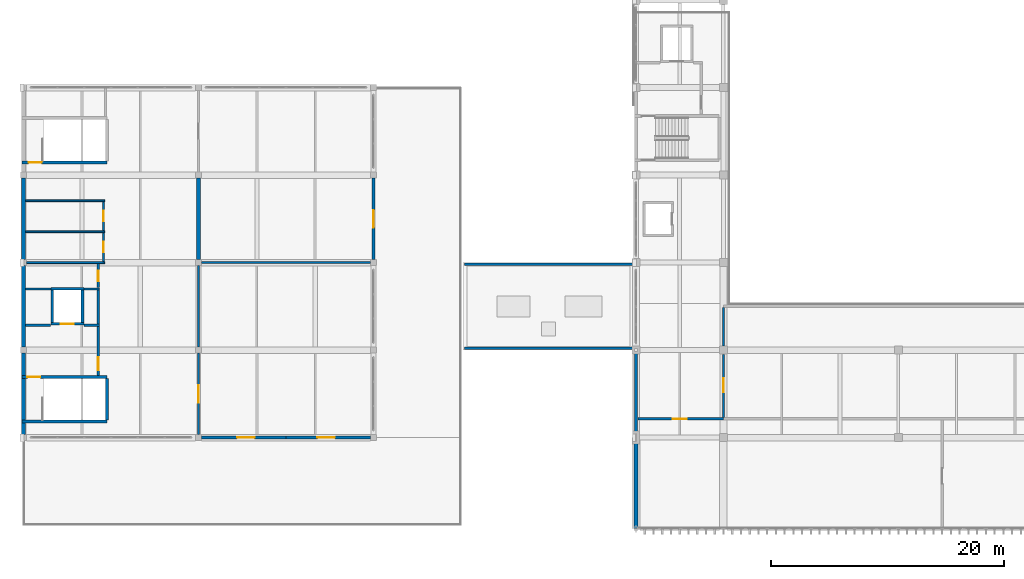
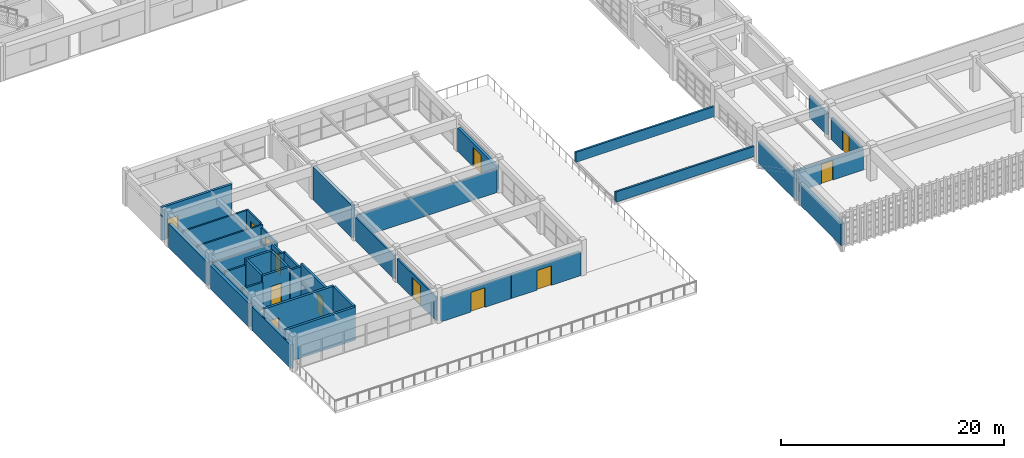
# One storey, part 61 of 82: 37 walls, 13 doors, 13 openings.
"""IFC4 building model written with IfcOpenShell, lengths in metres."""

from ifc_helpers import new_model, si_unit, direction, frame, frame_2d, origin, place, context, subcontext, project, spatial, rectangle, extrude, material, layer, layer_set, type_object, element, fill, save


model = new_model("IFC4")

# Units and contexts
model_context = context("Model", 3, precision=1e-05, world=origin(), true_north=direction((0.0, 1.0)))
body_context = subcontext(model_context, "Body", "Model", "MODEL_VIEW")
ifc_project = project(units=[si_unit("LENGTHUNIT", "METRE"), si_unit("AREAUNIT", "SQUARE_METRE"), si_unit("VOLUMEUNIT", "CUBIC_METRE"), si_unit("PLANEANGLEUNIT", "RADIAN"), si_unit("MASSUNIT", "GRAM", prefix="KILO")], contexts=[model_context])

# Site, building, storey
site_placement = place(None, origin())
site = spatial("IfcSite", under=ifc_project, at=site_placement, CompositionType="ELEMENT")
building_placement = place(site_placement, origin())
building = spatial("IfcBuilding", under=site, at=building_placement, Name="Qasida Concert Hall", CompositionType="ELEMENT")
storey_placement = place(building_placement, frame((0.0, 0.0, 17.10009765625)))
storey = spatial("IfcBuildingStorey", under=building, at=storey_placement, Name="L04", CompositionType="ELEMENT", Elevation=17.10009765625)

# Wall, opening, door
ifc_material_1 = material(Name="Concrete C40/50", Category="concrete")
ifc_layer_1 = layer(ifc_material_1, 0.219970703125, Name="Concrete C40/50")
ifc_layer_set_1 = layer_set([ifc_layer_1], Name="Concrete C40/50")
wall_type_1 = type_object("IfcWallType", Name="WL-CW-220", PredefinedType="SOLIDWALL", material=ifc_layer_set_1)
wall_1_placement = place(storey_placement, frame((2.340087890625, 32.25, 0.0), z_axis=(0.0, 0.0, 1.0), x_axis=(1.0, 0.0, 0.0)))
wall_1 = element("IfcWall", 1, at=wall_1_placement, inside=storey, type_object=wall_type_1, Name="L04 LF-06 lift shaft wall S", PredefinedType="SOLIDWALL", context=body_context, shape_type="SweptSolid", body=[
    extrude(rectangle(XDim=2.81982421875, YDim=0.219970703125, at=frame_2d((1.409912109375, 0.0))), origin(), (0.0, 0.0, 1.0), 3.619873046875),
])
opening_1_placement = place(wall_1_placement, frame((0.860107421875, 0.0, 0.0)))
opening_1 = element("IfcOpeningElement", 2, at=opening_1_placement, cuts=wall_1, Name="Opening LD-110", PredefinedType="OPENING", context=body_context, shape_type="SweptSolid", body=[
    extrude(rectangle(XDim=1.10009765625, YDim=2.14990234375, at=frame_2d((0.550048828125, 1.074951171875))), frame((0.0, 0.119873046875, 0.0), z_axis=(0.0, -1.0, 0.0), x_axis=(1.0, 0.0, 0.0)), (0.0, 0.0, 1.0), 0.239990234375),
])
ifc_material_2 = material(Name="Firefighting lift sliding landing door", Category="steel")
door_type_1 = type_object("IfcDoorType", Name="LD-110", OperationType="SLIDING_TO_LEFT", PredefinedType="DOOR", material=ifc_material_2)
door_1_placement = place(opening_1_placement, origin())
door_1 = element("IfcDoor", 3, at=door_1_placement, inside=storey, type_object=door_type_1, Name="Lift landing door LF-06 L04", OperationType="SLIDING_TO_LEFT", OverallHeight=2.14990234375, OverallWidth=1.10009765625, PredefinedType="DOOR", context=body_context, shape_type="SweptSolid", body=[
    extrude(rectangle(XDim=1.10009765625, YDim=2.14990234375, at=frame_2d((0.550048828125, 1.074951171875))), frame((0.0, 0.02490234375, 0.0), z_axis=(0.0, -1.0, 0.0), x_axis=(1.0, 0.0, 0.0)), (0.0, 0.0, 1.0), 0.050048828125),
])
fill(opening_1, door_1)

# Walls
wall_2_placement = place(storey_placement, frame((2.340087890625, 35.25, 0.0), z_axis=(0.0, 0.0, 1.0), x_axis=(1.0, 0.0, 0.0)))
element("IfcWall", 4, at=wall_2_placement, inside=storey, type_object=wall_type_1, Name="L04 LF-06 lift shaft wall N", PredefinedType="SOLIDWALL", context=body_context, shape_type="SweptSolid", body=[
    extrude(rectangle(XDim=2.81982421875, YDim=0.219970703125, at=frame_2d((1.409912109375, 0.0))), origin(), (0.0, 0.0, 1.0), 3.619873046875),
])
for number, where, z_axis, x_axis, name in (
    (5, (2.449951171875, 32.360107421875, 0.0), (0.0, 0.0, 1.0), (0.0, 1.0, 0.0), "L04 LF-06 lift shaft wall W"),
    (6, (5.050048828125, 32.360107421875, 0.0), (0.0, 0.0, 1.0), (0.0, 1.0, 0.0), "L04 LF-06 lift shaft wall E"),
):
    element("IfcWall", number, at=place(storey_placement, frame(where, z_axis=z_axis, x_axis=x_axis)), inside=storey, type_object=wall_type_1, Name=name, PredefinedType="SOLIDWALL", context=body_context, shape_type="SweptSolid", body=[
        extrude(rectangle(XDim=2.77978515625, YDim=0.219970703125, at=frame_2d((1.389892578125, 0.0))), origin(), (0.0, 0.0, 1.0), 3.619873046875),
    ])

# Wall, opening, door
wall_3_placement = place(storey_placement, frame((6.39990234375, 27.820068359375, 0.0), z_axis=(0.0, 0.0, 1.0), x_axis=(0.0, 1.0, 0.0)))
wall_3 = element("IfcWall", 7, at=wall_3_placement, inside=storey, type_object=wall_type_1, Name="L04 LF-06 firefighting lobby wall", PredefinedType="SOLIDWALL", context=body_context, shape_type="SweptSolid", body=[
    extrude(rectangle(XDim=4.309814453125, YDim=0.219970703125, at=frame_2d((2.15478515625, 0.0))), origin(), (0.0, 0.0, 1.0), 3.619873046875),
])
opening_2_placement = place(wall_3_placement, frame((0.449951171875, 0.0, 0.0)))
opening_2 = element("IfcOpeningElement", 8, at=opening_2_placement, cuts=wall_3, Name="Opening FD-110", PredefinedType="OPENING", context=body_context, shape_type="SweptSolid", body=[
    extrude(rectangle(XDim=1.10009765625, YDim=2.14990234375, at=frame_2d((0.550048828125, 1.074951171875))), frame((0.0, 0.119873046875, 0.0), z_axis=(0.0, -1.0, 0.0), x_axis=(1.0, 0.0, 0.0)), (0.0, 0.0, 1.0), 0.239990234375),
])
ifc_material_3 = material(Name="Steel fire-rated stair/lobby door set", Category="steel")
door_type_2 = type_object("IfcDoorType", Name="FD-110", OperationType="NOTDEFINED", PredefinedType="DOOR", material=ifc_material_3)
door_2_placement = place(opening_2_placement, origin())
door_2 = element("IfcDoor", 9, at=door_2_placement, inside=storey, type_object=door_type_2, Name="L04 LF-06 firefighting lobby fire door", OperationType="SINGLE_SWING_RIGHT", OverallHeight=2.14990234375, OverallWidth=1.10009765625, PredefinedType="DOOR", context=body_context, shape_type="SweptSolid", body=[
    extrude(rectangle(XDim=1.10009765625, YDim=2.14990234375, at=frame_2d((0.550048828125, 1.074951171875))), frame((0.0, 0.02490234375, 0.0), z_axis=(0.0, -1.0, 0.0), x_axis=(1.0, 0.0, 0.0)), (0.0, 0.0, 1.0), 0.050048828125),
])
fill(opening_2, door_2)

# Wall
ifc_layer_2 = layer(ifc_material_1, 0.25, Name="Concrete C40/50")
ifc_layer_set_2 = layer_set([ifc_layer_2], Name="Concrete C40/50")
wall_type_2 = type_object("IfcWallType", Name="WL-CW-250", PredefinedType="SOLIDWALL", material=ifc_layer_set_2)
wall_4_placement = place(storey_placement, frame((-0.1201171875, 23.875, 0.0), z_axis=(0.0, 0.0, 1.0), x_axis=(1.0, 0.0, 0.0)))
element("IfcWall", 10, at=wall_4_placement, inside=storey, type_object=wall_type_2, Name="L04 ST-03 stairwell wall S", PredefinedType="SOLIDWALL", context=body_context, shape_type="SweptSolid", body=[
    extrude(rectangle(XDim=7.260009765625, YDim=0.25, at=frame_2d((3.6298828125, 0.0))), origin(), (0.0, 0.0, 1.0), 3.619873046875),
])

# Wall, opening, door
wall_5_placement = place(storey_placement, frame((-0.1201171875, 27.68505859375, 0.0), z_axis=(0.0, 0.0, 1.0), x_axis=(1.0, 0.0, 0.0)))
wall_5 = element("IfcWall", 11, at=wall_5_placement, inside=storey, type_object=wall_type_2, Name="L04 ST-03 stairwell wall N", PredefinedType="SOLIDWALL", context=body_context, shape_type="SweptSolid", body=[
    extrude(rectangle(XDim=7.260009765625, YDim=0.25, at=frame_2d((3.6298828125, 0.0))), origin(), (0.0, 0.0, 1.0), 3.619873046875),
])
opening_3_placement = place(wall_5_placement, frame((0.449951171875, 0.0, 0.0)))
opening_3 = element("IfcOpeningElement", 12, at=opening_3_placement, cuts=wall_5, Name="Opening FD-110", PredefinedType="OPENING", context=body_context, shape_type="SweptSolid", body=[
    extrude(rectangle(XDim=1.10009765625, YDim=2.14990234375, at=frame_2d((0.550048828125, 1.074951171875))), frame((0.0, 0.135009765625, 0.0), z_axis=(0.0, -1.0, 0.0), x_axis=(1.0, 0.0, 0.0)), (0.0, 0.0, 1.0), 0.27001953125),
])
door_3_placement = place(opening_3_placement, origin())
door_3 = element("IfcDoor", 13, at=door_3_placement, inside=storey, type_object=door_type_2, Name="L04 ST-03 rated stair door", OperationType="SINGLE_SWING_RIGHT", OverallHeight=2.14990234375, OverallWidth=1.10009765625, PredefinedType="DOOR", context=body_context, shape_type="SweptSolid", body=[
    extrude(rectangle(XDim=1.10009765625, YDim=2.14990234375, at=frame_2d((0.550048828125, 1.074951171875))), frame((0.0, 0.02490234375, 0.0), z_axis=(0.0, -1.0, 0.0), x_axis=(1.0, 0.0, 0.0)), (0.0, 0.0, 1.0), 0.050048828125),
])
fill(opening_3, door_3)

# Wall
wall_6_placement = place(storey_placement, frame((7.14501953125, 24.0, 0.0), z_axis=(0.0, 0.0, 1.0), x_axis=(0.0, 1.0, 0.0)))
element("IfcWall", 14, at=wall_6_placement, inside=storey, type_object=wall_type_2, Name="L04 ST-03 stairwell wall E", PredefinedType="SOLIDWALL", context=body_context, shape_type="SweptSolid", body=[
    extrude(rectangle(XDim=3.56005859375, YDim=0.25, at=frame_2d((1.780029296875, 0.0))), origin(), (0.0, 0.0, 1.0), 3.619873046875),
])

# Wall, opening, door
wall_7_placement = place(storey_placement, frame((-0.1201171875, 46.074951171875, 0.0), z_axis=(0.0, 0.0, 1.0), x_axis=(1.0, 0.0, 0.0)))
wall_7 = element("IfcWall", 15, at=wall_7_placement, inside=storey, type_object=wall_type_2, Name="L04 ST-04 stairwell wall S", PredefinedType="SOLIDWALL", context=body_context, shape_type="SweptSolid", body=[
    extrude(rectangle(XDim=7.260009765625, YDim=0.25, at=frame_2d((3.6298828125, 0.0))), origin(), (0.0, 0.0, 1.0), 3.619873046875),
])
opening_4_placement = place(wall_7_placement, frame((0.56005859375, 0.0, 0.0)))
opening_4 = element("IfcOpeningElement", 16, at=opening_4_placement, cuts=wall_7, Name="Opening FD-110", PredefinedType="OPENING", context=body_context, shape_type="SweptSolid", body=[
    extrude(rectangle(XDim=1.10009765625, YDim=2.14990234375, at=frame_2d((0.550048828125, 1.074951171875))), frame((0.0, 0.135009765625, 0.0), z_axis=(0.0, -1.0, 0.0), x_axis=(1.0, 0.0, 0.0)), (0.0, 0.0, 1.0), 0.27001953125),
])
door_4_placement = place(opening_4_placement, origin())
door_4 = element("IfcDoor", 17, at=door_4_placement, inside=storey, type_object=door_type_2, Name="L04 ST-04 rated stair door", OperationType="SINGLE_SWING_RIGHT", OverallHeight=2.14990234375, OverallWidth=1.10009765625, PredefinedType="DOOR", context=body_context, shape_type="SweptSolid", body=[
    extrude(rectangle(XDim=1.10009765625, YDim=2.14990234375, at=frame_2d((0.550048828125, 1.074951171875))), frame((0.0, 0.02490234375, 0.0), z_axis=(0.0, -1.0, 0.0), x_axis=(1.0, 0.0, 0.0)), (0.0, 0.0, 1.0), 0.050048828125),
])
fill(opening_4, door_4)

# Wall
ifc_material_4 = material(Name="Precast concrete C40/50", Category="concrete")
ifc_layer_3 = layer(ifc_material_4, 0.280029296875, Name="Precast concrete C40/50")
ifc_layer_set_3 = layer_set([ifc_layer_3], Name="Precast concrete C40/50")
wall_type_3 = type_object("IfcWallType", Name="WL-EW-280", PredefinedType="SOLIDWALL", material=ifc_layer_set_3)
wall_8_placement = place(storey_placement, frame((52.5, 22.800048828125, 0.0), z_axis=(0.0, 0.0, 1.0), x_axis=(0.0, 1.0, 0.0)))
element("IfcWall", 18, at=wall_8_placement, inside=storey, type_object=wall_type_3, Name="L04 exterior wall EW-280 0079", PredefinedType="SOLIDWALL", context=body_context, shape_type="SweptSolid", body=[
    extrude(rectangle(XDim=6.89990234375, YDim=0.280029296875, at=frame_2d((3.449951171875, 0.0))), origin(), (0.0, 0.0, 1.0), 2.389892578125),
])

# Wall, opening, door
wall_9_placement = place(storey_placement, frame((15.264892578125, 22.5, 0.0), z_axis=(0.0, 0.0, 1.0), x_axis=(1.0, 0.0, 0.0)))
wall_9 = element("IfcWall", 19, at=wall_9_placement, inside=storey, type_object=wall_type_3, Name="L04 exterior wall EW-280 0139", PredefinedType="SOLIDWALL", context=body_context, shape_type="SweptSolid", body=[
    extrude(rectangle(XDim=7.239990234375, YDim=0.280029296875, at=frame_2d((3.6201171875, 0.0))), origin(), (0.0, 0.0, 1.0), 2.58984375),
])
opening_5_placement = place(wall_9_placement, frame((3.0400390625, 0.0, 0.0)))
opening_5 = element("IfcOpeningElement", 20, at=opening_5_placement, cuts=wall_9, Name="Opening TD-150", PredefinedType="OPENING", context=body_context, shape_type="SweptSolid", body=[
    extrude(rectangle(XDim=1.5, YDim=2.14990234375, at=frame_2d((0.75, 1.074951171875))), frame((0.0, 0.14990234375, 0.0), z_axis=(0.0, -1.0, 0.0), x_axis=(1.0, 0.0, 0.0)), (0.0, 0.0, 1.0), 0.300048828125),
])
ifc_material_5 = material(Name="Patinated architectural bronze and laminated safety glass", Category="glass")
door_type_3 = type_object("IfcDoorType", Name="TD-150", OperationType="NOTDEFINED", PredefinedType="DOOR", material=ifc_material_5)
door_5_placement = place(opening_5_placement, frame((1.5, 0.0, 0.0), z_axis=(0.0, 0.0, 1.0), x_axis=(-1.0, 0.0, 0.0)))
door_5 = element("IfcDoor", 21, at=door_5_placement, inside=storey, type_object=door_type_3, Name="L04 middle roof terrace door 2", OperationType="SINGLE_SWING_LEFT", OverallHeight=2.14990234375, OverallWidth=1.5, PredefinedType="DOOR", context=body_context, shape_type="SweptSolid", body=[
    extrude(rectangle(XDim=1.5, YDim=2.14990234375, at=frame_2d((0.75, 1.074951171875))), frame((0.0, 0.02490234375, 0.0), z_axis=(0.0, -1.0, 0.0), x_axis=(1.0, 0.0, 0.0)), (0.0, 0.0, 1.0), 0.050048828125),
])
fill(opening_5, door_5)

wall_10_placement = place(storey_placement, frame((22.510009765625, 22.5, 0.0), z_axis=(0.0, 0.0, 1.0), x_axis=(1.0, 0.0, 0.0)))
wall_10 = element("IfcWall", 22, at=wall_10_placement, inside=storey, type_object=wall_type_3, Name="L04 exterior wall EW-280 0140", PredefinedType="SOLIDWALL", context=body_context, shape_type="SweptSolid", body=[
    extrude(rectangle(XDim=7.22509765625, YDim=0.280029296875, at=frame_2d((3.612548828125, 0.0))), origin(), (0.0, 0.0, 1.0), 2.58984375),
])
opening_6_placement = place(wall_10_placement, frame((2.68505859375, 0.0, 0.0)))
opening_6 = element("IfcOpeningElement", 23, at=opening_6_placement, cuts=wall_10, Name="Opening TD-150", PredefinedType="OPENING", context=body_context, shape_type="SweptSolid", body=[
    extrude(rectangle(XDim=1.5, YDim=2.14990234375, at=frame_2d((0.75, 1.074951171875))), frame((0.0, 0.14990234375, 0.0), z_axis=(0.0, -1.0, 0.0), x_axis=(1.0, 0.0, 0.0)), (0.0, 0.0, 1.0), 0.300048828125),
])
door_6_placement = place(opening_6_placement, frame((1.5, 0.0, 0.0), z_axis=(0.0, 0.0, 1.0), x_axis=(-1.0, 0.0, 0.0)))
door_6 = element("IfcDoor", 24, at=door_6_placement, inside=storey, type_object=door_type_3, Name="L04 middle roof terrace door 3", OperationType="SINGLE_SWING_RIGHT", OverallHeight=2.14990234375, OverallWidth=1.5, PredefinedType="DOOR", context=body_context, shape_type="SweptSolid", body=[
    extrude(rectangle(XDim=1.5, YDim=2.14990234375, at=frame_2d((0.75, 1.074951171875))), frame((0.0, 0.02490234375, 0.0), z_axis=(0.0, -1.0, 0.0), x_axis=(1.0, 0.0, 0.0)), (0.0, 0.0, 1.0), 0.050048828125),
])
fill(opening_6, door_6)

wall_11_placement = place(storey_placement, frame((30.0, 37.764892578125, 0.0), z_axis=(0.0, 0.0, 1.0), x_axis=(0.0, 1.0, 0.0)))
wall_11 = element("IfcWall", 25, at=wall_11_placement, inside=storey, type_object=wall_type_3, Name="L04 exterior wall EW-280 0144", PredefinedType="SOLIDWALL", context=body_context, shape_type="SweptSolid", body=[
    extrude(rectangle(XDim=6.97021484375, YDim=0.280029296875, at=frame_2d((3.485107421875, 0.0))), origin(), (0.0, 0.0, 1.0), 2.58984375),
])
opening_7_placement = place(wall_11_placement, frame((2.735107421875, 0.0, 0.0)))
opening_7 = element("IfcOpeningElement", 26, at=opening_7_placement, cuts=wall_11, Name="Opening TD-150", PredefinedType="OPENING", context=body_context, shape_type="SweptSolid", body=[
    extrude(rectangle(XDim=1.5, YDim=2.14990234375, at=frame_2d((0.75, 1.074951171875))), frame((0.0, 0.14990234375, 0.0), z_axis=(0.0, -1.0, 0.0), x_axis=(1.0, 0.0, 0.0)), (0.0, 0.0, 1.0), 0.300048828125),
])
door_7_placement = place(opening_7_placement, frame((1.5, 0.0, 0.0), z_axis=(0.0, 0.0, 1.0), x_axis=(-1.0, 0.0, 0.0)))
door_7 = element("IfcDoor", 27, at=door_7_placement, inside=storey, type_object=door_type_3, Name="L04 east belvedere terrace door", OperationType="SINGLE_SWING_LEFT", OverallHeight=2.14990234375, OverallWidth=1.5, PredefinedType="DOOR", context=body_context, shape_type="SweptSolid", body=[
    extrude(rectangle(XDim=1.5, YDim=2.14990234375, at=frame_2d((0.75, 1.074951171875))), frame((0.0, 0.02490234375, 0.0), z_axis=(0.0, -1.0, 0.0), x_axis=(1.0, 0.0, 0.0)), (0.0, 0.0, 1.0), 0.050048828125),
])
fill(opening_7, door_7)

# Walls
ifc_layer_4 = layer(ifc_material_4, 0.320068359375, Name="Precast concrete C40/50")
ifc_layer_set_4 = layer_set([ifc_layer_4], Name="Precast concrete C40/50")
wall_type_4 = type_object("IfcWallType", Name="WL-EW-320", PredefinedType="SOLIDWALL", material=ifc_layer_set_4)
for number, where, z_axis, x_axis, name in (
    (28, (0.0, 22.764892578125, 0.0), (0.0, 0.0, 1.0), (0.0, 1.0, 0.0), "L04 exterior wall EW-320 0141"),
    (29, (0.0, 30.264892578125, 0.0), (0.0, 0.0, 1.0), (0.0, 1.0, 0.0), "L04 exterior wall EW-320 0142"),
    (30, (0.0, 37.764892578125, 0.0), (0.0, 0.0, 1.0), (0.0, 1.0, 0.0), "L04 exterior wall EW-320 0143"),
):
    element("IfcWall", number, at=place(storey_placement, frame(where, z_axis=z_axis, x_axis=x_axis)), inside=storey, type_object=wall_type_4, Name=name, PredefinedType="SOLIDWALL", context=body_context, shape_type="SweptSolid", body=[
        extrude(rectangle(XDim=6.97021484375, YDim=0.320068359375, at=frame_2d((3.485107421875, 0.0))), origin(), (0.0, 0.0, 1.0), 2.58984375),
    ])
ifc_layer_5 = layer(ifc_material_4, 0.360107421875, Name="Precast concrete C40/50")
ifc_layer_set_5 = layer_set([ifc_layer_5], Name="Precast concrete C40/50")
wall_type_5 = type_object("IfcWallType", Name="WL-EW-360", PredefinedType="SOLIDWALL", material=ifc_layer_set_5)
wall_12_placement = place(storey_placement, frame((52.5, 14.699951171875, 0.0), z_axis=(0.0, 0.0, 1.0), x_axis=(0.0, 1.0, 0.0)))
element("IfcWall", 31, at=wall_12_placement, inside=storey, type_object=wall_type_5, Name="L04 exterior wall EW-360 0012", PredefinedType="SOLIDWALL", context=body_context, shape_type="SweptSolid", body=[
    extrude(rectangle(XDim=7.5, YDim=0.360107421875, at=frame_2d((3.75, 0.0))), origin(), (0.0, 0.0, 1.0), 2.389892578125),
])
ifc_layer_6 = layer(ifc_material_4, 0.199951171875, Name="Precast concrete C40/50")
ifc_layer_set_6 = layer_set([ifc_layer_6], Name="Precast concrete C40/50")
wall_type_6 = type_object("IfcWallType", Name="WL-PR-200", PredefinedType="PARAPET", material=ifc_layer_set_6)
for number, where, z_axis, x_axis, name in (
    (32, (37.800048828125, 30.14990234375, 0.5498046875), (0.0, 0.0, 1.0), (1.0, 0.0, 0.0), "L04 stepped roof parapet PR-200 003"),
    (33, (37.800048828125, 37.35009765625, 0.5498046875), (0.0, 0.0, 1.0), (1.0, 0.0, 0.0), "L04 stepped roof parapet PR-200 004"),
):
    element("IfcWall", number, at=place(storey_placement, frame(where, z_axis=z_axis, x_axis=x_axis)), inside=storey, type_object=wall_type_6, Name=name, PredefinedType="PARAPET", context=body_context, shape_type="SweptSolid", body=[
        extrude(rectangle(XDim=14.39990234375, YDim=0.199951171875, at=frame_2d((7.199951171875, 0.0))), origin(), (0.0, 0.0, 1.0), 1.1201171875),
    ])
ifc_material_6 = material(Name="Moisture-resistant gypsum partition", Category="gypsum")
ifc_layer_7 = layer(ifc_material_6, 0.159912109375, Name="Moisture-resistant gypsum partition")
ifc_layer_set_7 = layer_set([ifc_layer_7], Name="Moisture-resistant gypsum partition")
wall_type_7 = type_object("IfcWallType", Name="WL-PW-160", PredefinedType="PARTITIONING", material=ifc_layer_set_7)
wall_13_placement = place(storey_placement, frame((0.263916015625, 37.5, 0.0), z_axis=(0.0, 0.0, 1.0), x_axis=(1.0, 0.0, 0.0)))
element("IfcWall", 34, at=wall_13_placement, inside=storey, type_object=wall_type_7, Name="L04 partition PW-160 0156", PredefinedType="PARTITIONING", context=body_context, shape_type="SweptSolid", body=[
    extrude(rectangle(XDim=6.68603515625, YDim=0.159912109375, at=frame_2d((3.343017578125, 0.0))), origin(), (0.0, 0.0, 1.0), 2.58984375),
])
for number, where, z_axis, x_axis, name in (
    (35, (0.174072265625, 40.14990234375, 0.0), (0.0, 0.0, 1.0), (1.0, 0.0, 0.0), "L04 partition PW-160 0160"),
    (36, (0.174072265625, 42.800048828125, 0.0), (0.0, 0.0, 1.0), (1.0, 0.0, 0.0), "L04 partition PW-160 0161"),
):
    element("IfcWall", number, at=place(storey_placement, frame(where, z_axis=z_axis, x_axis=x_axis)), inside=storey, type_object=wall_type_7, Name=name, PredefinedType="PARTITIONING", context=body_context, shape_type="SweptSolid", body=[
        extrude(rectangle(XDim=6.77587890625, YDim=0.159912109375, at=frame_2d((3.387939453125, 0.0))), origin(), (0.0, 0.0, 1.0), 2.83984375),
    ])

# Wall, opening, door
wall_14_placement = place(storey_placement, frame((6.85009765625, 37.593994140625, 0.0), z_axis=(0.0, 0.0, 1.0), x_axis=(0.0, 1.0, 0.0)))
wall_14 = element("IfcWall", 37, at=wall_14_placement, inside=storey, type_object=wall_type_7, Name="L04 partition PW-160 0162", PredefinedType="PARTITIONING", context=body_context, shape_type="SweptSolid", body=[
    extrude(rectangle(XDim=2.4619140625, YDim=0.159912109375, at=frame_2d((1.23095703125, 0.0))), origin(), (0.0, 0.0, 1.0), 2.58984375),
])
opening_8_placement = place(wall_14_placement, frame((0.77587890625, 0.0, 0.0)))
opening_8 = element("IfcOpeningElement", 38, at=opening_8_placement, cuts=wall_14, Name="Opening ID-090", PredefinedType="OPENING", context=body_context, shape_type="SweptSolid", body=[
    extrude(rectangle(XDim=0.89990234375, YDim=2.10009765625, at=frame_2d((0.449951171875, 1.050048828125))), frame((0.0, 0.08984375, 0.0), z_axis=(0.0, -1.0, 0.0), x_axis=(1.0, 0.0, 0.0)), (0.0, 0.0, 1.0), 0.179931640625),
])
ifc_material_7 = material(Name="Quarter-sawn oak flush room door", Category="wood")
door_type_4 = type_object("IfcDoorType", Name="ID-090", OperationType="NOTDEFINED", PredefinedType="DOOR", material=ifc_material_7)
door_8_placement = place(opening_8_placement, origin())
door_8 = element("IfcDoor", 39, at=door_8_placement, inside=storey, type_object=door_type_4, Name="L04 Male restroom door", OperationType="SINGLE_SWING_RIGHT", OverallHeight=2.10009765625, OverallWidth=0.89990234375, PredefinedType="DOOR", context=body_context, shape_type="SweptSolid", body=[
    extrude(rectangle(XDim=0.89990234375, YDim=2.10009765625, at=frame_2d((0.449951171875, 1.050048828125))), frame((0.0, 0.02490234375, 0.0), z_axis=(0.0, -1.0, 0.0), x_axis=(1.0, 0.0, 0.0)), (0.0, 0.0, 1.0), 0.050048828125),
])
fill(opening_8, door_8)

wall_15_placement = place(storey_placement, frame((6.85009765625, 40.243896484375, 0.0), z_axis=(0.0, 0.0, 1.0), x_axis=(0.0, 1.0, 0.0)))
wall_15 = element("IfcWall", 40, at=wall_15_placement, inside=storey, type_object=wall_type_7, Name="L04 partition PW-160 0163", PredefinedType="PARTITIONING", context=body_context, shape_type="SweptSolid", body=[
    extrude(rectangle(XDim=2.462158203125, YDim=0.159912109375, at=frame_2d((1.23095703125, 0.0))), origin(), (0.0, 0.0, 1.0), 2.969970703125),
])
opening_9_placement = place(wall_15_placement, frame((0.785888671875, 0.0, 0.0)))
opening_9 = element("IfcOpeningElement", 41, at=opening_9_placement, cuts=wall_15, Name="Opening ID-090", PredefinedType="OPENING", context=body_context, shape_type="SweptSolid", body=[
    extrude(rectangle(XDim=0.89990234375, YDim=2.10009765625, at=frame_2d((0.449951171875, 1.050048828125))), frame((0.0, 0.08984375, 0.0), z_axis=(0.0, -1.0, 0.0), x_axis=(1.0, 0.0, 0.0)), (0.0, 0.0, 1.0), 0.179931640625),
])
door_9_placement = place(opening_9_placement, origin())
door_9 = element("IfcDoor", 42, at=door_9_placement, inside=storey, type_object=door_type_4, Name="L04 Female restroom door", OperationType="SINGLE_SWING_LEFT", OverallHeight=2.10009765625, OverallWidth=0.89990234375, PredefinedType="DOOR", context=body_context, shape_type="SweptSolid", body=[
    extrude(rectangle(XDim=0.89990234375, YDim=2.10009765625, at=frame_2d((0.449951171875, 1.050048828125))), frame((0.0, 0.02490234375, 0.0), z_axis=(0.0, -1.0, 0.0), x_axis=(1.0, 0.0, 0.0)), (0.0, 0.0, 1.0), 0.050048828125),
])
fill(opening_9, door_9)

# Walls
ifc_material_8 = material(Name="Acoustic metal-stud gypsum partition", Category="gypsum")
ifc_layer_8 = layer(ifc_material_8, 0.179931640625, Name="Acoustic metal-stud gypsum partition")
ifc_layer_set_8 = layer_set([ifc_layer_8], Name="Acoustic metal-stud gypsum partition")
wall_type_8 = type_object("IfcWallType", Name="WL-PW-180", PredefinedType="PARTITIONING", material=ifc_layer_set_8)
wall_16_placement = place(storey_placement, frame((0.174072265625, 35.25, 0.0), z_axis=(0.0, 0.0, 1.0), x_axis=(1.0, 0.0, 0.0)))
element("IfcWall", 43, at=wall_16_placement, inside=storey, type_object=wall_type_8, Name="L04 partition PW-180 0154", PredefinedType="PARTITIONING", context=body_context, shape_type="SweptSolid", body=[
    extrude(rectangle(XDim=2.166015625, YDim=0.179931640625, at=frame_2d((1.0830078125, 0.0))), origin(), (0.0, 0.0, 1.0), 2.969970703125),
])
wall_17_placement = place(storey_placement, frame((5.159912109375, 35.25, 0.0), z_axis=(0.0, 0.0, 1.0), x_axis=(1.0, 0.0, 0.0)))
element("IfcWall", 44, at=wall_17_placement, inside=storey, type_object=wall_type_8, Name="L04 partition PW-180 0155", PredefinedType="PARTITIONING", context=body_context, shape_type="SweptSolid", body=[
    extrude(rectangle(XDim=1.340087890625, YDim=0.179931640625, at=frame_2d((0.669921875, 0.0))), origin(), (0.0, 0.0, 1.0), 2.969970703125),
])
wall_18_placement = place(storey_placement, frame((6.39990234375, 32.243896484375, 0.0), z_axis=(0.0, 0.0, 1.0), x_axis=(0.0, 1.0, 0.0)))
element("IfcWall", 45, at=wall_18_placement, inside=storey, type_object=wall_type_8, Name="L04 partition PW-180 0157", PredefinedType="PARTITIONING", context=body_context, shape_type="SweptSolid", body=[
    extrude(rectangle(XDim=2.902099609375, YDim=0.179931640625, at=frame_2d((1.451171875, 0.0))), origin(), (0.0, 0.0, 1.0), 2.969970703125),
])

# Wall, opening, door
wall_19_placement = place(storey_placement, frame((6.39990234375, 35.35400390625, 0.0), z_axis=(0.0, 0.0, 1.0), x_axis=(0.0, 1.0, 0.0)))
wall_19 = element("IfcWall", 46, at=wall_19_placement, inside=storey, type_object=wall_type_8, Name="L04 partition PW-180 0158", PredefinedType="PARTITIONING", context=body_context, shape_type="SweptSolid", body=[
    extrude(rectangle(XDim=2.052001953125, YDim=0.179931640625, at=frame_2d((1.02587890625, 0.0))), origin(), (0.0, 0.0, 1.0), 2.58984375),
])
opening_10_placement = place(wall_19_placement, frame((0.5458984375, 0.0, 0.0)))
opening_10 = element("IfcOpeningElement", 47, at=opening_10_placement, cuts=wall_19, Name="Opening ID-090", PredefinedType="OPENING", context=body_context, shape_type="SweptSolid", body=[
    extrude(rectangle(XDim=0.89990234375, YDim=2.10009765625, at=frame_2d((0.449951171875, 1.050048828125))), frame((0.0, 0.099853515625, 0.0), z_axis=(0.0, -1.0, 0.0), x_axis=(1.0, 0.0, 0.0)), (0.0, 0.0, 1.0), 0.199951171875),
])
door_10_placement = place(opening_10_placement, origin())
door_10 = element("IfcDoor", 48, at=door_10_placement, inside=storey, type_object=door_type_4, Name="L04 Custodial service room door", OperationType="SINGLE_SWING_LEFT", OverallHeight=2.10009765625, OverallWidth=0.89990234375, PredefinedType="DOOR", context=body_context, shape_type="SweptSolid", body=[
    extrude(rectangle(XDim=0.89990234375, YDim=2.10009765625, at=frame_2d((0.449951171875, 1.050048828125))), frame((0.0, 0.02490234375, 0.0), z_axis=(0.0, -1.0, 0.0), x_axis=(1.0, 0.0, 0.0)), (0.0, 0.0, 1.0), 0.050048828125),
])
fill(opening_10, door_10)

# Wall
wall_20_placement = place(storey_placement, frame((15.263916015625, 37.5, 0.0), z_axis=(0.0, 0.0, 1.0), x_axis=(1.0, 0.0, 0.0)))
element("IfcWall", 49, at=wall_20_placement, inside=storey, type_object=wall_type_8, Name="L04 partition PW-180 0222", PredefinedType="PARTITIONING", context=body_context, shape_type="SweptSolid", body=[
    extrude(rectangle(XDim=14.47216796875, YDim=0.179931640625, at=frame_2d((7.236083984375, 0.0))), origin(), (0.0, 0.0, 1.0), 2.58984375),
])

# Wall, opening, door
wall_21_placement = place(storey_placement, frame((15.0, 22.763916015625, 0.0), z_axis=(0.0, 0.0, 1.0), x_axis=(0.0, 1.0, 0.0)))
wall_21 = element("IfcWall", 50, at=wall_21_placement, inside=storey, type_object=wall_type_8, Name="L04 partition PW-180 0223", PredefinedType="PARTITIONING", context=body_context, shape_type="SweptSolid", body=[
    extrude(rectangle(XDim=6.97216796875, YDim=0.179931640625, at=frame_2d((3.486083984375, 0.0))), origin(), (0.0, 0.0, 1.0), 2.58984375),
])
opening_11_placement = place(wall_21_placement, frame((2.736083984375, 0.0, 0.0)))
opening_11 = element("IfcOpeningElement", 51, at=opening_11_placement, cuts=wall_21, Name="Opening ID-150", PredefinedType="OPENING", context=body_context, shape_type="SweptSolid", body=[
    extrude(rectangle(XDim=1.5, YDim=2.159912109375, at=frame_2d((0.75, 1.080078125))), frame((0.0, 0.099853515625, 0.0), z_axis=(0.0, -1.0, 0.0), x_axis=(1.0, 0.0, 0.0)), (0.0, 0.0, 1.0), 0.199951171875),
])
ifc_material_9 = material(Name="Bronze-framed glazed foyer door", Category="aluminium")
door_type_5 = type_object("IfcDoorType", Name="ID-150", OperationType="NOTDEFINED", PredefinedType="DOOR", material=ifc_material_9)
door_11_placement = place(opening_11_placement, origin())
door_11 = element("IfcDoor", 52, at=door_11_placement, inside=storey, type_object=door_type_5, Name="L04 Belvedere lounge door", OperationType="SINGLE_SWING_RIGHT", OverallHeight=2.159912109375, OverallWidth=1.5, PredefinedType="DOOR", context=body_context, shape_type="SweptSolid", body=[
    extrude(rectangle(XDim=1.5, YDim=2.159912109375, at=frame_2d((0.75, 1.080078125))), frame((0.0, 0.02490234375, 0.0), z_axis=(0.0, -1.0, 0.0), x_axis=(1.0, 0.0, 0.0)), (0.0, 0.0, 1.0), 0.050048828125),
])
fill(opening_11, door_11)

# Walls
wall_22_placement = place(storey_placement, frame((15.0, 30.263916015625, 0.0), z_axis=(0.0, 0.0, 1.0), x_axis=(0.0, 1.0, 0.0)))
element("IfcWall", 53, at=wall_22_placement, inside=storey, type_object=wall_type_8, Name="L04 partition PW-180 0224", PredefinedType="PARTITIONING", context=body_context, shape_type="SweptSolid", body=[
    extrude(rectangle(XDim=6.97216796875, YDim=0.179931640625, at=frame_2d((3.486083984375, 0.0))), origin(), (0.0, 0.0, 1.0), 2.58984375),
])
ifc_material_10 = material(Name="Acoustic gypsum block and mineral wool", Category="gypsum")
ifc_layer_9 = layer(ifc_material_10, 0.199951171875, Name="Acoustic gypsum block and mineral wool")
ifc_layer_set_9 = layer_set([ifc_layer_9], Name="Acoustic gypsum block and mineral wool")
wall_type_9 = type_object("IfcWallType", Name="WL-PW-200", PredefinedType="PARTITIONING", material=ifc_layer_set_9)
wall_23_placement = place(storey_placement, frame((0.179931640625, 32.1298828125, 0.0), z_axis=(0.0, 0.0, 1.0), x_axis=(1.0, 0.0, 0.0)))
element("IfcWall", 54, at=wall_23_placement, inside=storey, type_object=wall_type_9, Name="L04 LF-06 firefighting lobby return wall", PredefinedType="PARTITIONING", context=body_context, shape_type="SweptSolid", body=[
    extrude(rectangle(XDim=2.14501953125, YDim=0.199951171875, at=frame_2d((1.072509765625, 0.0))), origin(), (0.0, 0.0, 1.0), 3.0),
])
wall_24_placement = place(storey_placement, frame((5.175048828125, 32.1298828125, 0.0), z_axis=(0.0, 0.0, 1.0), x_axis=(1.0, 0.0, 0.0)))
element("IfcWall", 55, at=wall_24_placement, inside=storey, type_object=wall_type_9, Name="L04 LF-06 firefighting lobby return wall", PredefinedType="PARTITIONING", context=body_context, shape_type="SweptSolid", body=[
    extrude(rectangle(XDim=1.3349609375, YDim=0.199951171875, at=frame_2d((0.66748046875, 0.0))), origin(), (0.0, 0.0, 1.0), 3.329833984375),
])

# Wall, opening, door
wall_25_placement = place(storey_placement, frame((52.654052734375, 24.10009765625, 0.0), z_axis=(0.0, 0.0, 1.0), x_axis=(1.0, 0.0, 0.0)))
wall_25 = element("IfcWall", 56, at=wall_25_placement, inside=storey, type_object=wall_type_9, Name="L04 partition PW-200 0501", PredefinedType="PARTITIONING", context=body_context, shape_type="SweptSolid", body=[
    extrude(rectangle(XDim=7.345947265625, YDim=0.199951171875, at=frame_2d((3.6728515625, 0.0))), origin(), (0.0, 0.0, 1.0), 2.389892578125),
])
opening_12_placement = place(wall_25_placement, frame((2.99609375, 0.0, 0.0)))
opening_12 = element("IfcOpeningElement", 57, at=opening_12_placement, cuts=wall_25, Name="Opening FD-120", PredefinedType="OPENING", context=body_context, shape_type="SweptSolid", body=[
    extrude(rectangle(XDim=1.199951171875, YDim=2.14990234375, at=frame_2d((0.60009765625, 1.074951171875))), frame((0.0, 0.10986328125, 0.0), z_axis=(0.0, -1.0, 0.0), x_axis=(1.0, 0.0, 0.0)), (0.0, 0.0, 1.0), 0.219970703125),
])
ifc_material_11 = material(Name="Steel fire-rated acoustic door set", Category="steel")
door_type_6 = type_object("IfcDoorType", Name="FD-120", OperationType="NOTDEFINED", PredefinedType="DOOR", material=ifc_material_11)
door_12_placement = place(opening_12_placement, origin())
door_12 = element("IfcDoor", 58, at=door_12_placement, inside=storey, type_object=door_type_6, Name="L04 L04 west south suite door", OperationType="SINGLE_SWING_RIGHT", OverallHeight=2.14990234375, OverallWidth=1.199951171875, PredefinedType="DOOR", context=body_context, shape_type="SweptSolid", body=[
    extrude(rectangle(XDim=1.199951171875, YDim=2.14990234375, at=frame_2d((0.60009765625, 1.074951171875))), frame((0.0, 0.02490234375, 0.0), z_axis=(0.0, -1.0, 0.0), x_axis=(1.0, 0.0, 0.0)), (0.0, 0.0, 1.0), 0.050048828125),
])
fill(opening_12, door_12)

wall_26_placement = place(storey_placement, frame((60.0, 24.214111328125, 0.0), z_axis=(0.0, 0.0, 1.0), x_axis=(0.0, 1.0, 0.0)))
wall_26 = element("IfcWall", 59, at=wall_26_placement, inside=storey, type_object=wall_type_9, Name="L04 partition PW-200 0506", PredefinedType="PARTITIONING", context=body_context, shape_type="SweptSolid", body=[
    extrude(rectangle(XDim=5.421875, YDim=0.199951171875, at=frame_2d((2.7109375, 0.0))), origin(), (0.0, 0.0, 1.0), 2.389892578125),
])
opening_13_placement = place(wall_26_placement, frame((2.18603515625, 0.0, 0.0)))
opening_13 = element("IfcOpeningElement", 60, at=opening_13_placement, cuts=wall_26, Name="Opening FD-120", PredefinedType="OPENING", context=body_context, shape_type="SweptSolid", body=[
    extrude(rectangle(XDim=1.199951171875, YDim=2.14990234375, at=frame_2d((0.60009765625, 1.074951171875))), frame((0.0, 0.10986328125, 0.0), z_axis=(0.0, -1.0, 0.0), x_axis=(1.0, 0.0, 0.0)), (0.0, 0.0, 1.0), 0.219970703125),
])
door_13_placement = place(opening_13_placement, origin())
door_13 = element("IfcDoor", 61, at=door_13_placement, inside=storey, type_object=door_type_6, Name="L04 L04 central library west door", OperationType="SINGLE_SWING_LEFT", OverallHeight=2.14990234375, OverallWidth=1.199951171875, PredefinedType="DOOR", context=body_context, shape_type="SweptSolid", body=[
    extrude(rectangle(XDim=1.199951171875, YDim=2.14990234375, at=frame_2d((0.60009765625, 1.074951171875))), frame((0.0, 0.02490234375, 0.0), z_axis=(0.0, -1.0, 0.0), x_axis=(1.0, 0.0, 0.0)), (0.0, 0.0, 1.0), 0.050048828125),
])
fill(opening_13, door_13)

# Walls
wall_27_placement = place(storey_placement, frame((60.0, 30.364013671875, 0.0), z_axis=(0.0, 0.0, 1.0), x_axis=(0.0, 1.0, 0.0)))
element("IfcWall", 62, at=wall_27_placement, inside=storey, type_object=wall_type_9, Name="L04 partition PW-200 0507", PredefinedType="PARTITIONING", context=body_context, shape_type="SweptSolid", body=[
    extrude(rectangle(XDim=3.27197265625, YDim=0.199951171875, at=frame_2d((1.635986328125, 0.0))), origin(), (0.0, 0.0, 1.0), 2.389892578125),
])
ifc_layer_10 = layer(ifc_material_1, 0.320068359375, Name="Concrete C40/50")
ifc_layer_set_10 = layer_set([ifc_layer_10], Name="Concrete C40/50")
wall_type_10 = type_object("IfcWallType", Name="WL-SW-320", PredefinedType="SHEAR", material=ifc_layer_set_10)
wall_28_placement = place(storey_placement, frame((15.0, 37.75, 0.0), z_axis=(0.0, 0.0, 1.0), x_axis=(0.0, 1.0, 0.0)))
element("IfcWall", 63, at=wall_28_placement, inside=storey, type_object=wall_type_10, Name="L04 V3 foyer shear wall 0040", PredefinedType="SHEAR", context=body_context, shape_type="SweptSolid", body=[
    extrude(rectangle(XDim=7.0, YDim=0.320068359375, at=frame_2d((3.5, 0.0))), origin(), (0.0, 0.0, 1.0), 3.599853515625),
])

save(model, "model.ifc")
